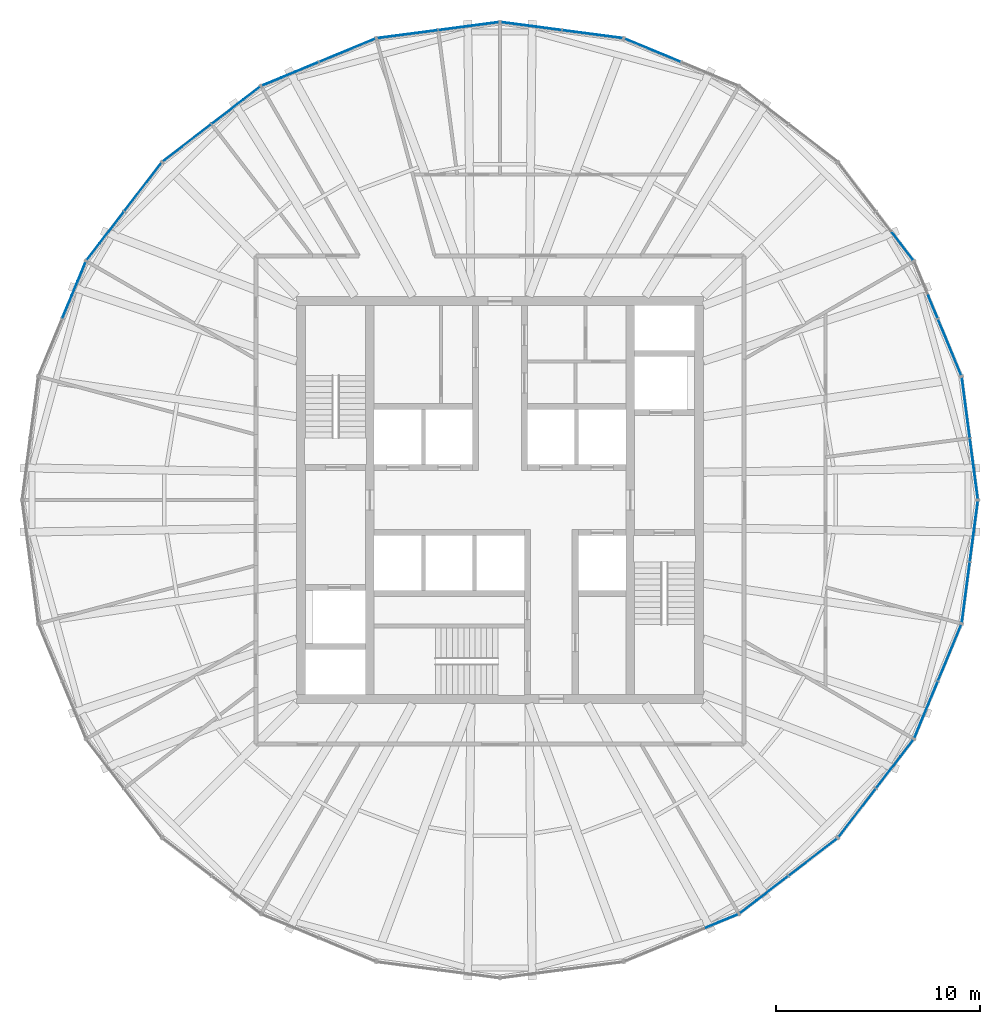
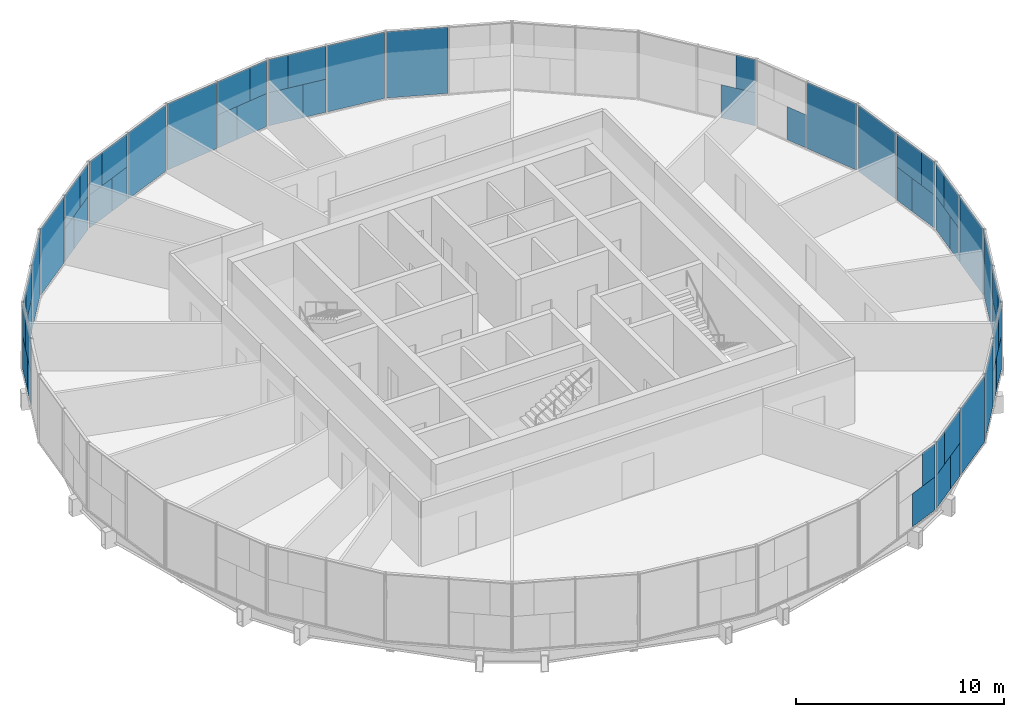
# One storey, part 9 of 13: 61 plates, 15 elements without a shape of their own.
"""IFC4 building model written with IfcOpenShell, lengths in metres."""

from ifc_helpers import new_model, si_unit, direction, frame, origin, origin_2d, place, context, subcontext, project, spatial, rectangle, extrude, material, layer, layer_set, type_object, element, aggregate, save


model = new_model("IFC4")

# Units and contexts
model_context = context("Model", 3, precision=1e-05, world=origin(), true_north=direction((0.0, 1.0)))
body_context = subcontext(model_context, "Body", "Model", "MODEL_VIEW")
ifc_project = project(units=[si_unit("LENGTHUNIT", "METRE"), si_unit("AREAUNIT", "SQUARE_METRE"), si_unit("VOLUMEUNIT", "CUBIC_METRE"), si_unit("PLANEANGLEUNIT", "RADIAN"), si_unit("MASSUNIT", "GRAM", prefix="KILO")], contexts=[model_context])

# Site, building, storey
site_placement = place(None, origin())
site = spatial("IfcSite", under=ifc_project, at=site_placement, CompositionType="ELEMENT")
building_placement = place(site_placement, origin())
building = spatial("IfcBuilding", under=site, at=building_placement, Name="Golbaran Civic Tower", CompositionType="ELEMENT")
storey_placement = place(building_placement, frame((0.0, 0.0, 211.0)))
storey = spatial("IfcBuildingStorey", under=building, at=storey_placement, Name="L51", CompositionType="ELEMENT", Elevation=211.0)

# Curtain wall, plates
ifc_material_1 = material(Name="Aluminium and glass", Category="aluminium")
curtain_wall_type = type_object("IfcCurtainWallType", Name="INNER SKIN CURTAIN WALL EXECUTIVE", PredefinedType="NOTDEFINED", material=ifc_material_1)
curtain_wall_1_placement = place(storey_placement, origin())
curtain_wall_1 = element("IfcCurtainWall", 1, at=curtain_wall_1_placement, inside=storey, type_object=curtain_wall_type, Name="Inner skin L51 facet 1 CW2", ObjectType="INNER SKIN", PredefinedType="USERDEFINED")
ifc_material_2 = material(Name="Clear insulating glass", Category="glass")
ifc_layer_1 = layer(ifc_material_2, 0.031982421875, Name="Clear insulating glass")
ifc_layer_set_1 = layer_set([ifc_layer_1], Name="Clear insulating glass")
plate_type_1 = type_object("IfcPlateType", Name="INNER SKIN CURTAIN WALL EXECUTIVE GLAZED PANEL", PredefinedType="CURTAIN_PANEL", material=ifc_layer_set_1)
plate_1_placement = place(storey_placement, frame((23.16943359375, 2.419921875, 0.06005859375), z_axis=(0.0, 0.0, 1.0), x_axis=(-0.130526192203, 0.991444861376, 0.0)))
plate_1 = element("IfcPlate", 2, at=plate_1_placement, type_object=plate_type_1, Name="CW2 panel 1.1 part 2", PredefinedType="CURTAIN_PANEL", context=body_context, shape_type="SweptSolid", body=[
    extrude(rectangle(XDim=1.189697265625, YDim=0.031982421875, at=origin_2d()), origin(), (0.0, 0.0, 1.0), 1.93994140625),
])
plate_2_placement = place(storey_placement, frame((23.2197265625, 2.036865234375, 2.0), z_axis=(0.0, 0.0, 1.0), x_axis=(-0.130526192203, 0.991444861376, 0.0)))
plate_2 = element("IfcPlate", 3, at=plate_2_placement, type_object=plate_type_1, Name="CW2 panel 1.1 part 4", PredefinedType="CURTAIN_PANEL", context=body_context, shape_type="SweptSolid", body=[
    extrude(rectangle(XDim=1.962890625, YDim=0.031982421875, at=origin_2d()), origin(), (0.0, 0.0, 1.0), 1.93994140625),
])
plate_3_placement = place(storey_placement, frame((22.8896484375, 4.54443359375, 0.06005859375), z_axis=(0.0, 0.0, 1.0), x_axis=(-0.130526192203, 0.991444861376, 0.0)))
plate_3 = element("IfcPlate", 4, at=plate_3_placement, type_object=plate_type_1, Name="CW2 panel 2.1", PredefinedType="CURTAIN_PANEL", context=body_context, shape_type="SweptSolid", body=[
    extrude(rectangle(XDim=2.975830078125, YDim=0.031982421875, at=origin_2d()), origin(), (0.0, 0.0, 1.0), 3.8798828125),
])

curtain_wall_2_placement = place(storey_placement, origin())
curtain_wall_2 = element("IfcCurtainWall", 5, at=curtain_wall_2_placement, inside=storey, type_object=curtain_wall_type, Name="Inner skin L51 facet 2 CW2", ObjectType="INNER SKIN", PredefinedType="USERDEFINED")
plate_4_placement = place(storey_placement, frame((22.09521484375, 7.50927734375, 0.06005859375), z_axis=(0.0, 0.0, 1.0), x_axis=(-0.382683432381, 0.923879532505, 0.0)))
plate_4 = element("IfcPlate", 6, at=plate_4_placement, type_object=plate_type_1, Name="CW2 panel 1.1", PredefinedType="CURTAIN_PANEL", context=body_context, shape_type="SweptSolid", body=[
    extrude(rectangle(XDim=2.975830078125, YDim=0.031982421875, at=origin_2d()), origin(), (0.0, 0.0, 1.0), 3.8798828125),
])
plate_5_placement = place(storey_placement, frame((21.275146484375, 9.489013671875, 0.06005859375), z_axis=(0.0, 0.0, 1.0), x_axis=(-0.382683432381, 0.923879532505, 0.0)))
plate_5 = element("IfcPlate", 7, at=plate_5_placement, type_object=plate_type_1, Name="CW2 panel 2.1 part 1", PredefinedType="CURTAIN_PANEL", context=body_context, shape_type="SweptSolid", body=[
    extrude(rectangle(XDim=1.18994140625, YDim=0.031982421875, at=origin_2d()), origin(), (0.0, 0.0, 1.0), 1.93994140625),
])
aggregate(curtain_wall_2, [plate_4, plate_5])

# Curtain wall, plate
curtain_wall_3_placement = place(storey_placement, origin())
curtain_wall_3 = element("IfcCurtainWall", 8, at=curtain_wall_3_placement, inside=storey, type_object=curtain_wall_type, Name="Inner skin L51 facet 5 CW2", ObjectType="INNER SKIN", PredefinedType="USERDEFINED")
plate_6_placement = place(storey_placement, frame((7.50927734375, 22.09521484375, 0.06005859375), z_axis=(0.0, 0.0, 1.0), x_axis=(-0.923879532505, 0.382683432381, 0.0)))
plate_6 = element("IfcPlate", 9, at=plate_6_placement, type_object=plate_type_1, Name="CW2 panel 2.1", PredefinedType="CURTAIN_PANEL", context=body_context, shape_type="SweptSolid", body=[
    extrude(rectangle(XDim=2.975830078125, YDim=0.031982421875, at=origin_2d()), origin(), (0.0, 0.0, 1.0), 3.8798828125),
])
aggregate(curtain_wall_3, [plate_6])

# Curtain wall, plates
curtain_wall_4_placement = place(storey_placement, origin())
curtain_wall_4 = element("IfcCurtainWall", 10, at=curtain_wall_4_placement, inside=storey, type_object=curtain_wall_type, Name="Inner skin L51 facet 6 CW2", ObjectType="INNER SKIN", PredefinedType="USERDEFINED")
plate_7_placement = place(storey_placement, frame((4.54443359375, 22.8896484375, 0.06005859375), z_axis=(0.0, 0.0, 1.0), x_axis=(-0.991444861376, 0.130526192203, 0.0)))
plate_7 = element("IfcPlate", 11, at=plate_7_placement, type_object=plate_type_1, Name="CW2 panel 1.1", PredefinedType="CURTAIN_PANEL", context=body_context, shape_type="SweptSolid", body=[
    extrude(rectangle(XDim=2.975830078125, YDim=0.031982421875, at=origin_2d()), origin(), (0.0, 0.0, 1.0), 3.8798828125),
])
plate_8_placement = place(storey_placement, frame((2.419921875, 23.16943359375, 0.06005859375), z_axis=(0.0, 0.0, 1.0), x_axis=(-0.991444861376, 0.130526192203, 0.0)))
plate_8 = element("IfcPlate", 12, at=plate_8_placement, type_object=plate_type_1, Name="CW2 panel 2.1 part 1", PredefinedType="CURTAIN_PANEL", context=body_context, shape_type="SweptSolid", body=[
    extrude(rectangle(XDim=1.18994140625, YDim=0.031982421875, at=origin_2d()), origin(), (0.0, 0.0, 1.0), 1.93994140625),
])
plate_9_placement = place(storey_placement, frame((2.03662109375, 23.219970703125, 2.0), z_axis=(0.0, 0.0, 1.0), x_axis=(-0.991444861376, 0.130526192203, 0.0)))
plate_9 = element("IfcPlate", 13, at=plate_9_placement, type_object=plate_type_1, Name="CW2 panel 2.1 part 3", PredefinedType="CURTAIN_PANEL", context=body_context, shape_type="SweptSolid", body=[
    extrude(rectangle(XDim=1.962890625, YDim=0.031982421875, at=origin_2d()), origin(), (0.0, 0.0, 1.0), 1.93994140625),
])

curtain_wall_5_placement = place(storey_placement, origin())
curtain_wall_5 = element("IfcCurtainWall", 14, at=curtain_wall_5_placement, inside=storey, type_object=curtain_wall_type, Name="Inner skin L51 facet 7 CW2", ObjectType="INNER SKIN", PredefinedType="USERDEFINED")
plate_10_placement = place(storey_placement, frame((-2.419921875, 23.16943359375, 0.06005859375), z_axis=(0.0, 0.0, 1.0), x_axis=(-0.991444861376, -0.130526192203, 0.0)))
plate_10 = element("IfcPlate", 15, at=plate_10_placement, type_object=plate_type_1, Name="CW2 panel 1.1 part 2", PredefinedType="CURTAIN_PANEL", context=body_context, shape_type="SweptSolid", body=[
    extrude(rectangle(XDim=1.189697265625, YDim=0.031982421875, at=origin_2d()), origin(), (0.0, 0.0, 1.0), 1.93994140625),
])
plate_11_placement = place(storey_placement, frame((-2.036865234375, 23.2197265625, 2.0), z_axis=(0.0, 0.0, 1.0), x_axis=(-0.991444861376, -0.130526192203, 0.0)))
plate_11 = element("IfcPlate", 16, at=plate_11_placement, type_object=plate_type_1, Name="CW2 panel 1.1 part 4", PredefinedType="CURTAIN_PANEL", context=body_context, shape_type="SweptSolid", body=[
    extrude(rectangle(XDim=1.962890625, YDim=0.031982421875, at=origin_2d()), origin(), (0.0, 0.0, 1.0), 1.93994140625),
])
plate_12_placement = place(storey_placement, frame((-4.54443359375, 22.8896484375, 0.06005859375), z_axis=(0.0, 0.0, 1.0), x_axis=(-0.991444861376, -0.130526192203, 0.0)))
plate_12 = element("IfcPlate", 17, at=plate_12_placement, type_object=plate_type_1, Name="CW2 panel 2.1", PredefinedType="CURTAIN_PANEL", context=body_context, shape_type="SweptSolid", body=[
    extrude(rectangle(XDim=2.975830078125, YDim=0.031982421875, at=origin_2d()), origin(), (0.0, 0.0, 1.0), 3.8798828125),
])

curtain_wall_6_placement = place(storey_placement, origin())
curtain_wall_6 = element("IfcCurtainWall", 18, at=curtain_wall_6_placement, inside=storey, type_object=curtain_wall_type, Name="Inner skin L51 facet 8 CW2", ObjectType="INNER SKIN", PredefinedType="USERDEFINED")
plate_13_placement = place(storey_placement, frame((-7.50927734375, 22.09521484375, 0.06005859375), z_axis=(0.0, 0.0, 1.0), x_axis=(-0.923879532505, -0.382683432381, 0.0)))
plate_13 = element("IfcPlate", 19, at=plate_13_placement, type_object=plate_type_1, Name="CW2 panel 1.1", PredefinedType="CURTAIN_PANEL", context=body_context, shape_type="SweptSolid", body=[
    extrude(rectangle(XDim=2.975830078125, YDim=0.031982421875, at=origin_2d()), origin(), (0.0, 0.0, 1.0), 3.8798828125),
])
plate_14_placement = place(storey_placement, frame((-9.489013671875, 21.275146484375, 0.06005859375), z_axis=(0.0, 0.0, 1.0), x_axis=(-0.923879532505, -0.382683432381, 0.0)))
plate_14 = element("IfcPlate", 20, at=plate_14_placement, type_object=plate_type_1, Name="CW2 panel 2.1 part 1", PredefinedType="CURTAIN_PANEL", context=body_context, shape_type="SweptSolid", body=[
    extrude(rectangle(XDim=1.18994140625, YDim=0.031982421875, at=origin_2d()), origin(), (0.0, 0.0, 1.0), 1.93994140625),
])
plate_15_placement = place(storey_placement, frame((-9.84619140625, 21.12744140625, 2.0), z_axis=(0.0, 0.0, 1.0), x_axis=(-0.923879532505, -0.382683432381, 0.0)))
plate_15 = element("IfcPlate", 21, at=plate_15_placement, type_object=plate_type_1, Name="CW2 panel 2.1 part 3", PredefinedType="CURTAIN_PANEL", context=body_context, shape_type="SweptSolid", body=[
    extrude(rectangle(XDim=1.962890625, YDim=0.031982421875, at=origin_2d()), origin(), (0.0, 0.0, 1.0), 1.93994140625),
])

curtain_wall_7_placement = place(storey_placement, origin())
curtain_wall_7 = element("IfcCurtainWall", 22, at=curtain_wall_7_placement, inside=storey, type_object=curtain_wall_type, Name="Inner skin L51 facet 9 CW2", ObjectType="INNER SKIN", PredefinedType="USERDEFINED")
plate_16_placement = place(storey_placement, frame((-13.680419921875, 18.855224609375, 0.06005859375), z_axis=(0.0, 0.0, 1.0), x_axis=(-0.793353340366, -0.608761428912, 0.0)))
plate_16 = element("IfcPlate", 23, at=plate_16_placement, type_object=plate_type_1, Name="CW2 panel 1.1 part 2", PredefinedType="CURTAIN_PANEL", context=body_context, shape_type="SweptSolid", body=[
    extrude(rectangle(XDim=1.189697265625, YDim=0.031982421875, at=origin_2d()), origin(), (0.0, 0.0, 1.0), 1.93994140625),
])
plate_17_placement = place(storey_placement, frame((-13.373779296875, 19.090576171875, 2.0), z_axis=(0.0, 0.0, 1.0), x_axis=(-0.793353340366, -0.608761428912, 0.0)))
plate_17 = element("IfcPlate", 24, at=plate_17_placement, type_object=plate_type_1, Name="CW2 panel 1.1 part 4", PredefinedType="CURTAIN_PANEL", context=body_context, shape_type="SweptSolid", body=[
    extrude(rectangle(XDim=1.962890625, YDim=0.031982421875, at=origin_2d()), origin(), (0.0, 0.0, 1.0), 1.93994140625),
])
plate_18_placement = place(storey_placement, frame((-15.38037109375, 17.55078125, 0.06005859375), z_axis=(0.0, 0.0, 1.0), x_axis=(-0.793353340366, -0.608761428912, 0.0)))
plate_18 = element("IfcPlate", 25, at=plate_18_placement, type_object=plate_type_1, Name="CW2 panel 2.1", PredefinedType="CURTAIN_PANEL", context=body_context, shape_type="SweptSolid", body=[
    extrude(rectangle(XDim=2.975830078125, YDim=0.031982421875, at=origin_2d()), origin(), (0.0, 0.0, 1.0), 3.8798828125),
])

curtain_wall_8_placement = place(storey_placement, origin())
curtain_wall_8 = element("IfcCurtainWall", 26, at=curtain_wall_8_placement, inside=storey, type_object=curtain_wall_type, Name="Inner skin L51 facet 10 CW2", ObjectType="INNER SKIN", PredefinedType="USERDEFINED")
plate_19_placement = place(storey_placement, frame((-17.55078125, 15.38037109375, 0.06005859375), z_axis=(0.0, 0.0, 1.0), x_axis=(-0.608761428912, -0.793353340366, 0.0)))
plate_19 = element("IfcPlate", 27, at=plate_19_placement, type_object=plate_type_1, Name="CW2 panel 1.1", PredefinedType="CURTAIN_PANEL", context=body_context, shape_type="SweptSolid", body=[
    extrude(rectangle(XDim=2.975830078125, YDim=0.031982421875, at=origin_2d()), origin(), (0.0, 0.0, 1.0), 3.8798828125),
])
plate_20_placement = place(storey_placement, frame((-18.855224609375, 13.680419921875, 0.06005859375), z_axis=(0.0, 0.0, 1.0), x_axis=(-0.608761428912, -0.793353340366, 0.0)))
plate_20 = element("IfcPlate", 28, at=plate_20_placement, type_object=plate_type_1, Name="CW2 panel 2.1 part 1", PredefinedType="CURTAIN_PANEL", context=body_context, shape_type="SweptSolid", body=[
    extrude(rectangle(XDim=1.18994140625, YDim=0.031982421875, at=origin_2d()), origin(), (0.0, 0.0, 1.0), 1.93994140625),
])
plate_21_placement = place(storey_placement, frame((-19.090576171875, 13.373779296875, 2.0), z_axis=(0.0, 0.0, 1.0), x_axis=(-0.608761428912, -0.793353340366, 0.0)))
plate_21 = element("IfcPlate", 29, at=plate_21_placement, type_object=plate_type_1, Name="CW2 panel 2.1 part 3", PredefinedType="CURTAIN_PANEL", context=body_context, shape_type="SweptSolid", body=[
    extrude(rectangle(XDim=1.962890625, YDim=0.031982421875, at=origin_2d()), origin(), (0.0, 0.0, 1.0), 1.93994140625),
])

curtain_wall_9_placement = place(storey_placement, origin())
curtain_wall_9 = element("IfcCurtainWall", 30, at=curtain_wall_9_placement, inside=storey, type_object=curtain_wall_type, Name="Inner skin L51 facet 11 CW2", ObjectType="INNER SKIN", PredefinedType="USERDEFINED")
plate_22_placement = place(storey_placement, frame((-21.275390625, 9.489013671875, 0.06005859375), z_axis=(0.0, 0.0, 1.0), x_axis=(-0.382683432381, -0.923879532505, 0.0)))
plate_22 = element("IfcPlate", 31, at=plate_22_placement, type_object=plate_type_1, Name="CW2 panel 1.1 part 2", PredefinedType="CURTAIN_PANEL", context=body_context, shape_type="SweptSolid", body=[
    extrude(rectangle(XDim=1.189697265625, YDim=0.031982421875, at=origin_2d()), origin(), (0.0, 0.0, 1.0), 1.93994140625),
])
plate_23_placement = place(storey_placement, frame((-21.12744140625, 9.845947265625, 2.0), z_axis=(0.0, 0.0, 1.0), x_axis=(-0.382683432381, -0.923879532505, 0.0)))
plate_23 = element("IfcPlate", 32, at=plate_23_placement, type_object=plate_type_1, Name="CW2 panel 1.1 part 4", PredefinedType="CURTAIN_PANEL", context=body_context, shape_type="SweptSolid", body=[
    extrude(rectangle(XDim=1.962890625, YDim=0.031982421875, at=origin_2d()), origin(), (0.0, 0.0, 1.0), 1.93994140625),
])

curtain_wall_10_placement = place(storey_placement, origin())
curtain_wall_10 = element("IfcCurtainWall", 33, at=curtain_wall_10_placement, inside=storey, type_object=curtain_wall_type, Name="Inner skin L51 facet 21 CW2", ObjectType="INNER SKIN", PredefinedType="USERDEFINED")
plate_24_placement = place(storey_placement, frame((13.680419921875, -18.855224609375, 0.06005859375), z_axis=(0.0, 0.0, 1.0), x_axis=(0.793353340366, 0.608761428912, 0.0)))
plate_24 = element("IfcPlate", 34, at=plate_24_placement, type_object=plate_type_1, Name="CW2 panel 1.1 part 2", PredefinedType="CURTAIN_PANEL", context=body_context, shape_type="SweptSolid", body=[
    extrude(rectangle(XDim=1.189697265625, YDim=0.031982421875, at=origin_2d()), origin(), (0.0, 0.0, 1.0), 1.93994140625),
])
plate_25_placement = place(storey_placement, frame((13.373779296875, -19.090576171875, 2.0), z_axis=(0.0, 0.0, 1.0), x_axis=(0.793353340366, 0.608761428912, 0.0)))
plate_25 = element("IfcPlate", 35, at=plate_25_placement, type_object=plate_type_1, Name="CW2 panel 1.1 part 4", PredefinedType="CURTAIN_PANEL", context=body_context, shape_type="SweptSolid", body=[
    extrude(rectangle(XDim=1.962890625, YDim=0.031982421875, at=origin_2d()), origin(), (0.0, 0.0, 1.0), 1.93994140625),
])
plate_26_placement = place(storey_placement, frame((15.38037109375, -17.55078125, 0.06005859375), z_axis=(0.0, 0.0, 1.0), x_axis=(0.793353340366, 0.608761428912, 0.0)))
plate_26 = element("IfcPlate", 36, at=plate_26_placement, type_object=plate_type_1, Name="CW2 panel 2.1", PredefinedType="CURTAIN_PANEL", context=body_context, shape_type="SweptSolid", body=[
    extrude(rectangle(XDim=2.975830078125, YDim=0.031982421875, at=origin_2d()), origin(), (0.0, 0.0, 1.0), 3.8798828125),
])

curtain_wall_11_placement = place(storey_placement, origin())
curtain_wall_11 = element("IfcCurtainWall", 37, at=curtain_wall_11_placement, inside=storey, type_object=curtain_wall_type, Name="Inner skin L51 facet 22 CW2", ObjectType="INNER SKIN", PredefinedType="USERDEFINED")
plate_27_placement = place(storey_placement, frame((17.55078125, -15.38037109375, 0.06005859375), z_axis=(0.0, 0.0, 1.0), x_axis=(0.608761428912, 0.793353340366, 0.0)))
plate_27 = element("IfcPlate", 38, at=plate_27_placement, type_object=plate_type_1, Name="CW2 panel 1.1", PredefinedType="CURTAIN_PANEL", context=body_context, shape_type="SweptSolid", body=[
    extrude(rectangle(XDim=2.975830078125, YDim=0.031982421875, at=origin_2d()), origin(), (0.0, 0.0, 1.0), 3.8798828125),
])
plate_28_placement = place(storey_placement, frame((18.855224609375, -13.680419921875, 0.06005859375), z_axis=(0.0, 0.0, 1.0), x_axis=(0.608761428912, 0.793353340366, 0.0)))
plate_28 = element("IfcPlate", 39, at=plate_28_placement, type_object=plate_type_1, Name="CW2 panel 2.1 part 1", PredefinedType="CURTAIN_PANEL", context=body_context, shape_type="SweptSolid", body=[
    extrude(rectangle(XDim=1.18994140625, YDim=0.031982421875, at=origin_2d()), origin(), (0.0, 0.0, 1.0), 1.93994140625),
])
plate_29_placement = place(storey_placement, frame((19.090576171875, -13.373779296875, 2.0), z_axis=(0.0, 0.0, 1.0), x_axis=(0.608761428912, 0.793353340366, 0.0)))
plate_29 = element("IfcPlate", 40, at=plate_29_placement, type_object=plate_type_1, Name="CW2 panel 2.1 part 3", PredefinedType="CURTAIN_PANEL", context=body_context, shape_type="SweptSolid", body=[
    extrude(rectangle(XDim=1.962890625, YDim=0.031982421875, at=origin_2d()), origin(), (0.0, 0.0, 1.0), 1.93994140625),
])

curtain_wall_12_placement = place(storey_placement, origin())
curtain_wall_12 = element("IfcCurtainWall", 41, at=curtain_wall_12_placement, inside=storey, type_object=curtain_wall_type, Name="Inner skin L51 facet 23 CW2", ObjectType="INNER SKIN", PredefinedType="USERDEFINED")
plate_30_placement = place(storey_placement, frame((21.275390625, -9.489013671875, 0.06005859375), z_axis=(0.0, 0.0, 1.0), x_axis=(0.382683432381, 0.923879532505, 0.0)))
plate_30 = element("IfcPlate", 42, at=plate_30_placement, type_object=plate_type_1, Name="CW2 panel 1.1 part 2", PredefinedType="CURTAIN_PANEL", context=body_context, shape_type="SweptSolid", body=[
    extrude(rectangle(XDim=1.189697265625, YDim=0.031982421875, at=origin_2d()), origin(), (0.0, 0.0, 1.0), 1.93994140625),
])
plate_31_placement = place(storey_placement, frame((21.12744140625, -9.845947265625, 2.0), z_axis=(0.0, 0.0, 1.0), x_axis=(0.382683432381, 0.923879532505, 0.0)))
plate_31 = element("IfcPlate", 43, at=plate_31_placement, type_object=plate_type_1, Name="CW2 panel 1.1 part 4", PredefinedType="CURTAIN_PANEL", context=body_context, shape_type="SweptSolid", body=[
    extrude(rectangle(XDim=1.962890625, YDim=0.031982421875, at=origin_2d()), origin(), (0.0, 0.0, 1.0), 1.93994140625),
])
plate_32_placement = place(storey_placement, frame((22.09521484375, -7.50927734375, 0.06005859375), z_axis=(0.0, 0.0, 1.0), x_axis=(0.382683432381, 0.923879532505, 0.0)))
plate_32 = element("IfcPlate", 44, at=plate_32_placement, type_object=plate_type_1, Name="CW2 panel 2.1", PredefinedType="CURTAIN_PANEL", context=body_context, shape_type="SweptSolid", body=[
    extrude(rectangle(XDim=2.975830078125, YDim=0.031982421875, at=origin_2d()), origin(), (0.0, 0.0, 1.0), 3.8798828125),
])

curtain_wall_13_placement = place(storey_placement, origin())
curtain_wall_13 = element("IfcCurtainWall", 45, at=curtain_wall_13_placement, inside=storey, type_object=curtain_wall_type, Name="Inner skin L51 facet 24 CW2", ObjectType="INNER SKIN", PredefinedType="USERDEFINED")
plate_33_placement = place(storey_placement, frame((22.8896484375, -4.54443359375, 0.06005859375), z_axis=(0.0, 0.0, 1.0), x_axis=(0.130526192203, 0.991444861376, 0.0)))
plate_33 = element("IfcPlate", 46, at=plate_33_placement, type_object=plate_type_1, Name="CW2 panel 1.1", PredefinedType="CURTAIN_PANEL", context=body_context, shape_type="SweptSolid", body=[
    extrude(rectangle(XDim=2.975830078125, YDim=0.031982421875, at=origin_2d()), origin(), (0.0, 0.0, 1.0), 3.8798828125),
])
plate_34_placement = place(storey_placement, frame((23.16943359375, -2.419921875, 0.06005859375), z_axis=(0.0, 0.0, 1.0), x_axis=(0.130526192203, 0.991444861376, 0.0)))
plate_34 = element("IfcPlate", 47, at=plate_34_placement, type_object=plate_type_1, Name="CW2 panel 2.1 part 1", PredefinedType="CURTAIN_PANEL", context=body_context, shape_type="SweptSolid", body=[
    extrude(rectangle(XDim=1.18994140625, YDim=0.031982421875, at=origin_2d()), origin(), (0.0, 0.0, 1.0), 1.93994140625),
])
plate_35_placement = place(storey_placement, frame((23.219970703125, -2.03662109375, 2.0), z_axis=(0.0, 0.0, 1.0), x_axis=(0.130526192203, 0.991444861376, 0.0)))
plate_35 = element("IfcPlate", 48, at=plate_35_placement, type_object=plate_type_1, Name="CW2 panel 2.1 part 3", PredefinedType="CURTAIN_PANEL", context=body_context, shape_type="SweptSolid", body=[
    extrude(rectangle(XDim=1.962890625, YDim=0.031982421875, at=origin_2d()), origin(), (0.0, 0.0, 1.0), 1.93994140625),
])

# Plate
ifc_material_3 = material(Name="Aluminium faced opaque infill panel", Category="aluminium")
ifc_layer_2 = layer(ifc_material_3, 0.031982421875, Name="Aluminium faced opaque infill panel")
ifc_layer_set_2 = layer_set([ifc_layer_2], Name="Aluminium faced opaque infill panel")
plate_type_2 = type_object("IfcPlateType", Name="INNER SKIN CURTAIN WALL EXECUTIVE OPAQUE INFILL PANEL", PredefinedType="CURTAIN_PANEL", material=ifc_layer_set_2)
plate_36_placement = place(storey_placement, frame((23.363525390625, 0.94482421875, 0.06005859375), z_axis=(0.0, 0.0, 1.0), x_axis=(-0.130526192203, 0.991444861376, 0.0)))
plate_36 = element("IfcPlate", 49, at=plate_36_placement, type_object=plate_type_2, Name="CW2 infill panel 1.1 part 1", PredefinedType="CURTAIN_PANEL", context=body_context, shape_type="SweptSolid", body=[
    extrude(rectangle(XDim=1.785888671875, YDim=0.031982421875, at=origin_2d()), origin(), (0.0, 0.0, 1.0), 1.93994140625),
])

plate_37_placement = place(storey_placement, frame((23.4140625, 0.561767578125, 2.0), z_axis=(0.0, 0.0, 1.0), x_axis=(-0.130526192203, 0.991444861376, 0.0)))
plate_37 = element("IfcPlate", 50, at=plate_37_placement, type_object=plate_type_2, Name="CW2 infill panel 1.1 part 3", PredefinedType="CURTAIN_PANEL", context=body_context, shape_type="SweptSolid", body=[
    extrude(rectangle(XDim=1.012939453125, YDim=0.031982421875, at=origin_2d()), origin(), (0.0, 0.0, 1.0), 1.93994140625),
])

aggregate(curtain_wall_1, [plate_36, plate_1, plate_37, plate_2, plate_3])

# Curtain wall, plates
curtain_wall_14_placement = place(storey_placement, origin())
curtain_wall_14 = element("IfcCurtainWall", 51, at=curtain_wall_14_placement, inside=storey, type_object=curtain_wall_type, Name="Inner skin L51 facet 3 CW2", ObjectType="INNER SKIN", PredefinedType="USERDEFINED")
plate_38_placement = place(storey_placement, frame((19.760986328125, 12.5, 0.06005859375), z_axis=(0.0, 0.0, 1.0), x_axis=(-0.608761428912, 0.793353340366, 0.0)))
plate_38 = element("IfcPlate", 52, at=plate_38_placement, type_object=plate_type_2, Name="CW2 infill panel 1.1 part 1", PredefinedType="CURTAIN_PANEL", context=body_context, shape_type="SweptSolid", body=[
    extrude(rectangle(XDim=1.785888671875, YDim=0.031982421875, at=origin_2d()), origin(), (0.0, 0.0, 1.0), 1.93994140625),
])
plate_39_placement = place(storey_placement, frame((19.996337890625, 12.193359375, 2.0), z_axis=(0.0, 0.0, 1.0), x_axis=(-0.608761428912, 0.793353340366, 0.0)))
plate_39 = element("IfcPlate", 53, at=plate_39_placement, type_object=plate_type_2, Name="CW2 infill panel 1.1 part 3", PredefinedType="CURTAIN_PANEL", context=body_context, shape_type="SweptSolid", body=[
    extrude(rectangle(XDim=1.012939453125, YDim=0.031982421875, at=origin_2d()), origin(), (0.0, 0.0, 1.0), 1.93994140625),
])
aggregate(curtain_wall_14, [plate_38, plate_39])

# Plate
plate_40_placement = place(storey_placement, frame((0.94482421875, 23.363525390625, 0.06005859375), z_axis=(0.0, 0.0, 1.0), x_axis=(-0.991444861376, 0.130526192203, 0.0)))
plate_40 = element("IfcPlate", 54, at=plate_40_placement, type_object=plate_type_2, Name="CW2 infill panel 2.1 part 2", PredefinedType="CURTAIN_PANEL", context=body_context, shape_type="SweptSolid", body=[
    extrude(rectangle(XDim=1.785888671875, YDim=0.031982421875, at=origin_2d()), origin(), (0.0, 0.0, 1.0), 1.93994140625),
])

plate_41_placement = place(storey_placement, frame((0.5615234375, 23.4140625, 2.0), z_axis=(0.0, 0.0, 1.0), x_axis=(-0.991444861376, 0.130526192203, 0.0)))
plate_41 = element("IfcPlate", 55, at=plate_41_placement, type_object=plate_type_2, Name="CW2 infill panel 2.1 part 4", PredefinedType="CURTAIN_PANEL", context=body_context, shape_type="SweptSolid", body=[
    extrude(rectangle(XDim=1.0126953125, YDim=0.031982421875, at=origin_2d()), origin(), (0.0, 0.0, 1.0), 1.93994140625),
])

aggregate(curtain_wall_4, [plate_7, plate_8, plate_40, plate_9, plate_41])

plate_42_placement = place(storey_placement, frame((-0.94482421875, 23.363525390625, 0.06005859375), z_axis=(0.0, 0.0, 1.0), x_axis=(-0.991444861376, -0.130526192203, 0.0)))
plate_42 = element("IfcPlate", 56, at=plate_42_placement, type_object=plate_type_2, Name="CW2 infill panel 1.1 part 1", PredefinedType="CURTAIN_PANEL", context=body_context, shape_type="SweptSolid", body=[
    extrude(rectangle(XDim=1.785888671875, YDim=0.031982421875, at=origin_2d()), origin(), (0.0, 0.0, 1.0), 1.93994140625),
])

plate_43_placement = place(storey_placement, frame((-0.561767578125, 23.4140625, 2.0), z_axis=(0.0, 0.0, 1.0), x_axis=(-0.991444861376, -0.130526192203, 0.0)))
plate_43 = element("IfcPlate", 57, at=plate_43_placement, type_object=plate_type_2, Name="CW2 infill panel 1.1 part 3", PredefinedType="CURTAIN_PANEL", context=body_context, shape_type="SweptSolid", body=[
    extrude(rectangle(XDim=1.012939453125, YDim=0.031982421875, at=origin_2d()), origin(), (0.0, 0.0, 1.0), 1.93994140625),
])

aggregate(curtain_wall_5, [plate_42, plate_10, plate_43, plate_11, plate_12])

plate_44_placement = place(storey_placement, frame((-10.863525390625, 20.705810546875, 0.06005859375), z_axis=(0.0, 0.0, 1.0), x_axis=(-0.923879532505, -0.382683432381, 0.0)))
plate_44 = element("IfcPlate", 58, at=plate_44_placement, type_object=plate_type_2, Name="CW2 infill panel 2.1 part 2", PredefinedType="CURTAIN_PANEL", context=body_context, shape_type="SweptSolid", body=[
    extrude(rectangle(XDim=1.785888671875, YDim=0.031982421875, at=origin_2d()), origin(), (0.0, 0.0, 1.0), 1.93994140625),
])

plate_45_placement = place(storey_placement, frame((-11.220703125, 20.557861328125, 2.0), z_axis=(0.0, 0.0, 1.0), x_axis=(-0.923879532505, -0.382683432381, 0.0)))
plate_45 = element("IfcPlate", 59, at=plate_45_placement, type_object=plate_type_2, Name="CW2 infill panel 2.1 part 4", PredefinedType="CURTAIN_PANEL", context=body_context, shape_type="SweptSolid", body=[
    extrude(rectangle(XDim=1.0126953125, YDim=0.031982421875, at=origin_2d()), origin(), (0.0, 0.0, 1.0), 1.93994140625),
])

aggregate(curtain_wall_6, [plate_13, plate_14, plate_44, plate_15, plate_45])

plate_46_placement = place(storey_placement, frame((-12.5, 19.760986328125, 0.06005859375), z_axis=(0.0, 0.0, 1.0), x_axis=(-0.793353340366, -0.608761428912, 0.0)))
plate_46 = element("IfcPlate", 60, at=plate_46_placement, type_object=plate_type_2, Name="CW2 infill panel 1.1 part 1", PredefinedType="CURTAIN_PANEL", context=body_context, shape_type="SweptSolid", body=[
    extrude(rectangle(XDim=1.785888671875, YDim=0.031982421875, at=origin_2d()), origin(), (0.0, 0.0, 1.0), 1.93994140625),
])

plate_47_placement = place(storey_placement, frame((-12.193359375, 19.996337890625, 2.0), z_axis=(0.0, 0.0, 1.0), x_axis=(-0.793353340366, -0.608761428912, 0.0)))
plate_47 = element("IfcPlate", 61, at=plate_47_placement, type_object=plate_type_2, Name="CW2 infill panel 1.1 part 3", PredefinedType="CURTAIN_PANEL", context=body_context, shape_type="SweptSolid", body=[
    extrude(rectangle(XDim=1.012939453125, YDim=0.031982421875, at=origin_2d()), origin(), (0.0, 0.0, 1.0), 1.93994140625),
])

aggregate(curtain_wall_7, [plate_46, plate_16, plate_47, plate_17, plate_18])

plate_48_placement = place(storey_placement, frame((-19.76123046875, 12.5, 0.06005859375), z_axis=(0.0, 0.0, 1.0), x_axis=(-0.608761428912, -0.793353340366, 0.0)))
plate_48 = element("IfcPlate", 62, at=plate_48_placement, type_object=plate_type_2, Name="CW2 infill panel 2.1 part 2", PredefinedType="CURTAIN_PANEL", context=body_context, shape_type="SweptSolid", body=[
    extrude(rectangle(XDim=1.785888671875, YDim=0.031982421875, at=origin_2d()), origin(), (0.0, 0.0, 1.0), 1.93994140625),
])

plate_49_placement = place(storey_placement, frame((-19.996337890625, 12.193359375, 2.0), z_axis=(0.0, 0.0, 1.0), x_axis=(-0.608761428912, -0.793353340366, 0.0)))
plate_49 = element("IfcPlate", 63, at=plate_49_placement, type_object=plate_type_2, Name="CW2 infill panel 2.1 part 4", PredefinedType="CURTAIN_PANEL", context=body_context, shape_type="SweptSolid", body=[
    extrude(rectangle(XDim=1.0126953125, YDim=0.031982421875, at=origin_2d()), origin(), (0.0, 0.0, 1.0), 1.93994140625),
])

aggregate(curtain_wall_8, [plate_19, plate_20, plate_48, plate_21, plate_49])

plate_50_placement = place(storey_placement, frame((-20.705810546875, 10.863525390625, 0.06005859375), z_axis=(0.0, 0.0, 1.0), x_axis=(-0.382683432381, -0.923879532505, 0.0)))
plate_50 = element("IfcPlate", 64, at=plate_50_placement, type_object=plate_type_2, Name="CW2 infill panel 1.1 part 1", PredefinedType="CURTAIN_PANEL", context=body_context, shape_type="SweptSolid", body=[
    extrude(rectangle(XDim=1.785888671875, YDim=0.031982421875, at=origin_2d()), origin(), (0.0, 0.0, 1.0), 1.93994140625),
])

plate_51_placement = place(storey_placement, frame((-20.55810546875, 11.220703125, 2.0), z_axis=(0.0, 0.0, 1.0), x_axis=(-0.382683432381, -0.923879532505, 0.0)))
plate_51 = element("IfcPlate", 65, at=plate_51_placement, type_object=plate_type_2, Name="CW2 infill panel 1.1 part 3", PredefinedType="CURTAIN_PANEL", context=body_context, shape_type="SweptSolid", body=[
    extrude(rectangle(XDim=1.012939453125, YDim=0.031982421875, at=origin_2d()), origin(), (0.0, 0.0, 1.0), 1.93994140625),
])

aggregate(curtain_wall_9, [plate_50, plate_22, plate_51, plate_23])

# Curtain wall, plates
curtain_wall_15_placement = place(storey_placement, origin())
curtain_wall_15 = element("IfcCurtainWall", 66, at=curtain_wall_15_placement, inside=storey, type_object=curtain_wall_type, Name="Inner skin L51 facet 20 CW2", ObjectType="INNER SKIN", PredefinedType="USERDEFINED")
plate_52_placement = place(storey_placement, frame((10.863525390625, -20.705810546875, 0.06005859375), z_axis=(0.0, 0.0, 1.0), x_axis=(0.923879532505, 0.382683432381, 0.0)))
plate_52 = element("IfcPlate", 67, at=plate_52_placement, type_object=plate_type_2, Name="CW2 infill panel 2.1 part 2", PredefinedType="CURTAIN_PANEL", context=body_context, shape_type="SweptSolid", body=[
    extrude(rectangle(XDim=1.785888671875, YDim=0.031982421875, at=origin_2d()), origin(), (0.0, 0.0, 1.0), 1.93994140625),
])
plate_53_placement = place(storey_placement, frame((11.220703125, -20.557861328125, 2.0), z_axis=(0.0, 0.0, 1.0), x_axis=(0.923879532505, 0.382683432381, 0.0)))
plate_53 = element("IfcPlate", 68, at=plate_53_placement, type_object=plate_type_2, Name="CW2 infill panel 2.1 part 4", PredefinedType="CURTAIN_PANEL", context=body_context, shape_type="SweptSolid", body=[
    extrude(rectangle(XDim=1.0126953125, YDim=0.031982421875, at=origin_2d()), origin(), (0.0, 0.0, 1.0), 1.93994140625),
])
aggregate(curtain_wall_15, [plate_52, plate_53])

# Plate
plate_54_placement = place(storey_placement, frame((12.5, -19.760986328125, 0.06005859375), z_axis=(0.0, 0.0, 1.0), x_axis=(0.793353340366, 0.608761428912, 0.0)))
plate_54 = element("IfcPlate", 69, at=plate_54_placement, type_object=plate_type_2, Name="CW2 infill panel 1.1 part 1", PredefinedType="CURTAIN_PANEL", context=body_context, shape_type="SweptSolid", body=[
    extrude(rectangle(XDim=1.785888671875, YDim=0.031982421875, at=origin_2d()), origin(), (0.0, 0.0, 1.0), 1.93994140625),
])

plate_55_placement = place(storey_placement, frame((12.193359375, -19.996337890625, 2.0), z_axis=(0.0, 0.0, 1.0), x_axis=(0.793353340366, 0.608761428912, 0.0)))
plate_55 = element("IfcPlate", 70, at=plate_55_placement, type_object=plate_type_2, Name="CW2 infill panel 1.1 part 3", PredefinedType="CURTAIN_PANEL", context=body_context, shape_type="SweptSolid", body=[
    extrude(rectangle(XDim=1.012939453125, YDim=0.031982421875, at=origin_2d()), origin(), (0.0, 0.0, 1.0), 1.93994140625),
])

aggregate(curtain_wall_10, [plate_54, plate_24, plate_55, plate_25, plate_26])

plate_56_placement = place(storey_placement, frame((19.76123046875, -12.5, 0.06005859375), z_axis=(0.0, 0.0, 1.0), x_axis=(0.608761428912, 0.793353340366, 0.0)))
plate_56 = element("IfcPlate", 71, at=plate_56_placement, type_object=plate_type_2, Name="CW2 infill panel 2.1 part 2", PredefinedType="CURTAIN_PANEL", context=body_context, shape_type="SweptSolid", body=[
    extrude(rectangle(XDim=1.785888671875, YDim=0.031982421875, at=origin_2d()), origin(), (0.0, 0.0, 1.0), 1.93994140625),
])

plate_57_placement = place(storey_placement, frame((19.996337890625, -12.193359375, 2.0), z_axis=(0.0, 0.0, 1.0), x_axis=(0.608761428912, 0.793353340366, 0.0)))
plate_57 = element("IfcPlate", 72, at=plate_57_placement, type_object=plate_type_2, Name="CW2 infill panel 2.1 part 4", PredefinedType="CURTAIN_PANEL", context=body_context, shape_type="SweptSolid", body=[
    extrude(rectangle(XDim=1.0126953125, YDim=0.031982421875, at=origin_2d()), origin(), (0.0, 0.0, 1.0), 1.93994140625),
])

aggregate(curtain_wall_11, [plate_27, plate_28, plate_56, plate_29, plate_57])

plate_58_placement = place(storey_placement, frame((20.705810546875, -10.863525390625, 0.06005859375), z_axis=(0.0, 0.0, 1.0), x_axis=(0.382683432381, 0.923879532505, 0.0)))
plate_58 = element("IfcPlate", 73, at=plate_58_placement, type_object=plate_type_2, Name="CW2 infill panel 1.1 part 1", PredefinedType="CURTAIN_PANEL", context=body_context, shape_type="SweptSolid", body=[
    extrude(rectangle(XDim=1.785888671875, YDim=0.031982421875, at=origin_2d()), origin(), (0.0, 0.0, 1.0), 1.93994140625),
])

plate_59_placement = place(storey_placement, frame((20.55810546875, -11.220703125, 2.0), z_axis=(0.0, 0.0, 1.0), x_axis=(0.382683432381, 0.923879532505, 0.0)))
plate_59 = element("IfcPlate", 74, at=plate_59_placement, type_object=plate_type_2, Name="CW2 infill panel 1.1 part 3", PredefinedType="CURTAIN_PANEL", context=body_context, shape_type="SweptSolid", body=[
    extrude(rectangle(XDim=1.012939453125, YDim=0.031982421875, at=origin_2d()), origin(), (0.0, 0.0, 1.0), 1.93994140625),
])

aggregate(curtain_wall_12, [plate_58, plate_30, plate_59, plate_31, plate_32])

plate_60_placement = place(storey_placement, frame((23.363525390625, -0.94482421875, 0.06005859375), z_axis=(0.0, 0.0, 1.0), x_axis=(0.130526192203, 0.991444861376, 0.0)))
plate_60 = element("IfcPlate", 75, at=plate_60_placement, type_object=plate_type_2, Name="CW2 infill panel 2.1 part 2", PredefinedType="CURTAIN_PANEL", context=body_context, shape_type="SweptSolid", body=[
    extrude(rectangle(XDim=1.785888671875, YDim=0.031982421875, at=origin_2d()), origin(), (0.0, 0.0, 1.0), 1.93994140625),
])

plate_61_placement = place(storey_placement, frame((23.4140625, -0.5615234375, 2.0), z_axis=(0.0, 0.0, 1.0), x_axis=(0.130526192203, 0.991444861376, 0.0)))
plate_61 = element("IfcPlate", 76, at=plate_61_placement, type_object=plate_type_2, Name="CW2 infill panel 2.1 part 4", PredefinedType="CURTAIN_PANEL", context=body_context, shape_type="SweptSolid", body=[
    extrude(rectangle(XDim=1.0126953125, YDim=0.031982421875, at=origin_2d()), origin(), (0.0, 0.0, 1.0), 1.93994140625),
])

aggregate(curtain_wall_13, [plate_33, plate_34, plate_60, plate_35, plate_61])

save(model, "model.ifc")
